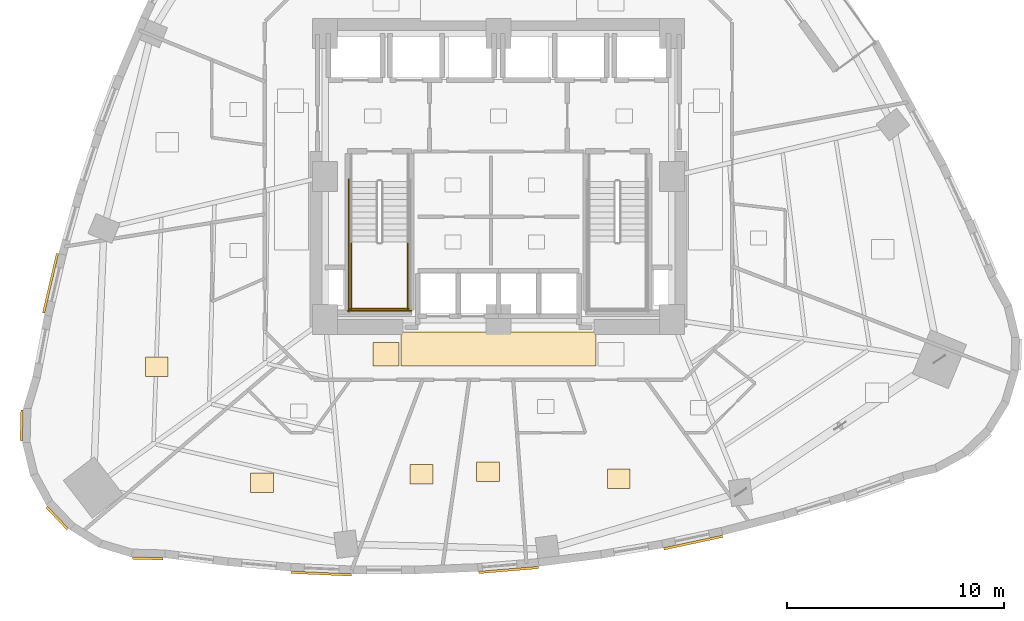
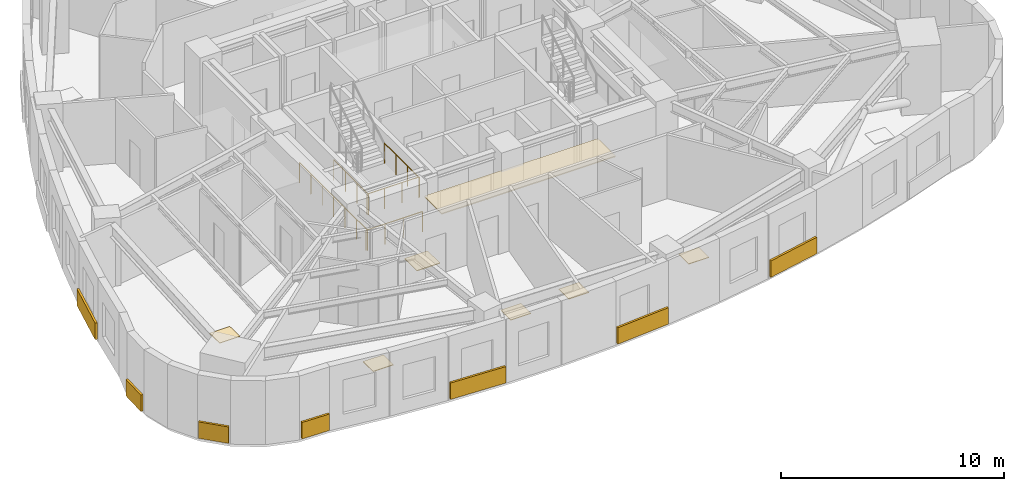
# One storey, part 13 of 15: 14 coverings, 5 railings.
"""IFC4 building model written with IfcOpenShell, lengths in metres."""

from ifc_helpers import new_model, si_unit, direction, frame, origin, origin_2d, place, context, subcontext, project, spatial, rectangle, circle, extrude, material, layer, layer_set, type_object, element, save


model = new_model("IFC4")

# Units and contexts
model_context = context("Model", 3, precision=1e-05, world=origin(), true_north=direction((0.0, 1.0)))
body_context = subcontext(model_context, "Body", "Model", "MODEL_VIEW")
ifc_project = project(units=[si_unit("LENGTHUNIT", "METRE"), si_unit("AREAUNIT", "SQUARE_METRE"), si_unit("VOLUMEUNIT", "CUBIC_METRE"), si_unit("PLANEANGLEUNIT", "RADIAN"), si_unit("MASSUNIT", "GRAM", prefix="KILO")], contexts=[model_context])

# Site, building, storey
site_placement = place(None, origin())
site = spatial("IfcSite", under=ifc_project, at=site_placement, CompositionType="ELEMENT")
building_placement = place(site_placement, origin())
building = spatial("IfcBuilding", under=site, at=building_placement, Name="Ndelora Gate Hotel", CompositionType="ELEMENT")
storey_placement = place(building_placement, frame((0.0, 0.0, 56.75)))
storey = spatial("IfcBuildingStorey", under=building, at=storey_placement, Name="L13", CompositionType="ELEMENT", Elevation=56.75)

# Coverings
ifc_material_1 = material(Name="Perforated Acoustic Gypsum Board", Category="gypsum")
ifc_layer_1 = layer(ifc_material_1, 0.054931640625)
ifc_layer_set_1 = layer_set([ifc_layer_1], Name="Perforated Acoustic Gypsum Board")
covering_type_1 = type_object("IfcCoveringType", Name="COV-CEIL-AC60", PredefinedType="CEILING", material=ifc_layer_set_1)
covering_1_placement = place(storey_placement, frame((0.0, -7.9599609375, 2.65234375), z_axis=(0.0, 0.0, 1.0), x_axis=(1.0, 0.0, 0.0)))
element("IfcCovering", 1, at=covering_1_placement, inside=storey, type_object=covering_type_1, Name="L13 Guest Corridor Acoustic Ceiling S", PredefinedType="CEILING", context=body_context, shape_type="SweptSolid", body=[
    extrude(rectangle(XDim=9.0, YDim=1.580078125, at=origin_2d()), origin(), (0.0, 0.0, 1.0), 0.054931640625),
])
ifc_material_2 = material(Name="Terracotta Fired Clay Brick Slip Cladding", Category="masonry")
ifc_layer_2 = layer(ifc_material_2, 0.110107421875)
ifc_layer_set_2 = layer_set([ifc_layer_2], Name="Terracotta Fired Clay Brick Slip Cladding")
covering_type_2 = type_object("IfcCoveringType", Name="COV-CLAD-BRK", PredefinedType="CLADDING", material=ifc_layer_set_2)
covering_2_placement = place(storey_placement, frame((-20.671875, -4.927490234375, 0.10009765625), z_axis=(0.0, 0.0, 1.0), x_axis=(0.226821294859, 0.973936394329, 0.0)))
element("IfcCovering", 2, at=covering_2_placement, inside=storey, type_object=covering_type_2, Name="L13 Rounded-Corner Brick Cladding Band 19", PredefinedType="CLADDING", context=body_context, shape_type="SweptSolid", body=[
    extrude(rectangle(XDim=2.81103515625, YDim=0.110107421875, at=origin_2d()), origin(), (0.0, 0.0, 1.0), 0.89990234375),
])
for number, where, z_axis, x_axis, name in (
    (3, (-22.006591796875, -11.486083984375, 0.10009765625), (0.0, 0.0, 1.0), (0.026176948308, 0.999657324976, 0.0), "L13 Rounded-Corner Brick Cladding Band 22"),
    (4, (-20.365478515625, -15.76171875, 0.10009765625), (0.0, 0.0, 1.0), (-0.688354575694, 0.725374371012, 0.0), "L13 Rounded-Corner Brick Cladding Band 25"),
    (5, (-16.181396484375, -17.62451171875, 0.10009765625), (0.0, 0.0, 1.0), (-0.999657324976, 0.026176948308, 0.0), "L13 Rounded-Corner Brick Cladding Band 28"),
):
    element("IfcCovering", number, at=place(storey_placement, frame(where, z_axis=z_axis, x_axis=x_axis)), inside=storey, type_object=covering_type_2, Name=name, PredefinedType="CLADDING", context=body_context, shape_type="SweptSolid", body=[
        extrude(rectangle(XDim=1.4140625, YDim=0.110107421875, at=origin_2d()), origin(), (0.0, 0.0, 1.0), 0.89990234375),
    ])
covering_3_placement = place(storey_placement, frame((-8.17041015625, -18.325439453125, 0.10009765625), z_axis=(0.0, 0.0, 1.0), x_axis=(-0.999040593346, 0.043793753509, 0.0)))
element("IfcCovering", 6, at=covering_3_placement, inside=storey, type_object=covering_type_2, Name="L13 Rounded-Corner Brick Cladding Band 31", PredefinedType="CLADDING", context=body_context, shape_type="SweptSolid", body=[
    extrude(rectangle(XDim=2.791015625, YDim=0.110107421875, at=origin_2d()), origin(), (0.0, 0.0, 1.0), 0.89990234375),
])
covering_4_placement = place(storey_placement, frame((0.466064453125, -18.157470703125, 0.10009765625), z_axis=(0.0, 0.0, 1.0), x_axis=(0.996522007617, 0.083329996614, 0.0)))
element("IfcCovering", 7, at=covering_4_placement, inside=storey, type_object=covering_type_2, Name="L13 Rounded-Corner Brick Cladding Band 34", PredefinedType="CLADDING", context=body_context, shape_type="SweptSolid", body=[
    extrude(rectangle(XDim=2.760009765625, YDim=0.110107421875, at=origin_2d()), origin(), (0.0, 0.0, 1.0), 0.89990234375),
])
covering_5_placement = place(storey_placement, frame((8.9873046875, -16.89208984375, 0.10009765625), z_axis=(0.0, 0.0, 1.0), x_axis=(0.977783236759, 0.209618562904, 0.0)))
element("IfcCovering", 8, at=covering_5_placement, inside=storey, type_object=covering_type_2, Name="L13 Rounded-Corner Brick Cladding Band 37", PredefinedType="CLADDING", context=body_context, shape_type="SweptSolid", body=[
    extrude(rectangle(XDim=2.77490234375, YDim=0.110107421875, at=origin_2d()), origin(), (0.0, 0.0, 1.0), 0.89990234375),
])
ifc_material_3 = material(Name="Engineered Highland Oak Parquet", Category="wood")
ifc_layer_3 = layer(ifc_material_3, 0.030029296875)
ifc_layer_set_3 = layer_set([ifc_layer_3], Name="Engineered Highland Oak Parquet")
covering_type_3 = type_object("IfcCoveringType", Name="COV-FLR-PARQ", PredefinedType="FLOORING", material=ifc_layer_set_3)
for number, where, z_axis, x_axis, name in (
    (9, (5.5537109375, -13.938720703125, 0.0), (0.0, 0.0, 1.0), (1.0, 0.0, 0.0), "L13 Corner Panorama Suite 1601 Oak Parquet Flooring"),
    (10, (-15.763916015625, -8.77197265625, 0.0), (0.0, 0.0, 1.0), (1.0, 0.0, 0.0), "L13 Superior Double Junior Suite 1606 Oak Parquet Flooring"),
    (11, (-10.915283203125, -14.14111328125, 0.0), (0.0, 0.0, 1.0), (1.0, 0.0, 0.0), "L13 Twin Junior Suite 1607 Oak Parquet Flooring"),
    (12, (-3.548583984375, -13.74560546875, 0.0), (0.0, 0.0, 1.0), (1.0, 0.0, 0.0), "L13 Housekeeping and Linen Room Oak Parquet Flooring"),
    (13, (-0.48388671875, -13.618896484375, 0.0), (0.0, 0.0, 1.0), (1.0, 0.0, 0.0), "L13 Accessible WC Oak Parquet Flooring"),
):
    element("IfcCovering", number, at=place(storey_placement, frame(where, z_axis=z_axis, x_axis=x_axis)), inside=storey, type_object=covering_type_3, Name=name, PredefinedType="FLOORING", context=body_context, shape_type="SweptSolid", body=[
        extrude(rectangle(XDim=1.050048828125, YDim=0.89990234375, at=origin_2d()), origin(), (0.0, 0.0, 1.0), 0.030029296875),
    ])
ifc_material_4 = material(Name="Polished Highland Stone Terrazzo", Category="masonry")
ifc_layer_4 = layer(ifc_material_4, 0.034912109375)
ifc_layer_set_4 = layer_set([ifc_layer_4], Name="Polished Highland Stone Terrazzo")
covering_type_4 = type_object("IfcCoveringType", Name="COV-FLR-TERZ", PredefinedType="FLOORING", material=ifc_layer_set_4)
covering_6_placement = place(storey_placement, frame((-5.199951171875, -8.199951171875, 0.0), z_axis=(0.0, 0.0, 1.0), x_axis=(1.0, 0.0, 0.0)))
element("IfcCovering", 14, at=covering_6_placement, inside=storey, type_object=covering_type_4, Name="L13 Corridor Threshold Terrazzo Inlay SW", PredefinedType="FLOORING", context=body_context, shape_type="SweptSolid", body=[
    extrude(rectangle(XDim=1.199951171875, YDim=1.10009765625, at=origin_2d()), origin(), (0.0, 0.0, 1.0), 0.034912109375),
])

# Railings
ifc_material_5 = material(Name="Painted Galvanized Steel Balustrade", Category="steel")
ifc_layer_5 = layer(ifc_material_5, 0.06005859375)
ifc_layer_set_5 = layer_set([ifc_layer_5], Name="Painted Galvanized Steel Balustrade")
railing_type = type_object("IfcRailingType", Name="RL-STAIR-GD", PredefinedType="GUARDRAIL", material=ifc_layer_set_5)
for number, where, name in (
    (15, (-6.800048828125, -3.030029296875, 1.875), "L13 ST4 stair guard 3"),
    (16, (-4.179931640625, -3.030029296875, 1.875), "L13 ST4 stair guard 4"),
):
    element("IfcRailing", number, at=place(storey_placement, frame(where)), inside=storey, type_object=railing_type, Name=name, PredefinedType="GUARDRAIL", context=body_context, shape_type="SweptSolid", body=[
        extrude(circle(Radius=0.02392578125, at=origin_2d()), frame((0.0, 0.0, 1.10595703125), z_axis=(0.0, -1.0, 0.0), x_axis=(1.0, 0.0, 0.0)), (0.0, 0.0, 1.0), 3.119873046875),
        extrude(circle(Radius=0.02099609375, at=origin_2d()), origin(), (0.0, 0.0, 1.0), 1.081787109375),
        extrude(circle(Radius=0.02099609375, at=origin_2d()), frame((0.0, -1.0400390625, 0.0)), (0.0, 0.0, 1.0), 1.081787109375),
        extrude(circle(Radius=0.02099609375, at=origin_2d()), frame((0.0, -2.079833984375, 0.0)), (0.0, 0.0, 1.0), 1.081787109375),
        extrude(circle(Radius=0.02099609375, at=origin_2d()), frame((0.0, -3.119873046875, 0.0)), (0.0, 0.0, 1.0), 1.081787109375),
    ])
railing_1_placement = place(storey_placement, frame((-6.85009765625, -6.10009765625, 1.875)))
element("IfcRailing", 17, at=railing_1_placement, inside=storey, type_object=railing_type, Name="L13 ST4 stair guard 5", PredefinedType="GUARDRAIL", context=body_context, shape_type="SweptSolid", body=[
    extrude(circle(Radius=0.02392578125, at=origin_2d()), frame((0.0, 0.0, 1.10595703125), z_axis=(1.0, 0.0, 0.0), x_axis=(0.0, 1.0, 0.0)), (0.0, 0.0, 1.0), 2.72021484375),
    extrude(circle(Radius=0.02099609375, at=origin_2d()), origin(), (0.0, 0.0, 1.0), 1.081787109375),
    extrude(circle(Radius=0.02099609375, at=origin_2d()), frame((0.90673828125, 0.0, 0.0)), (0.0, 0.0, 1.0), 1.081787109375),
    extrude(circle(Radius=0.02099609375, at=origin_2d()), frame((1.8134765625, 0.0, 0.0)), (0.0, 0.0, 1.0), 1.081787109375),
    extrude(circle(Radius=0.02099609375, at=origin_2d()), frame((2.72021484375, 0.0, 0.0)), (0.0, 0.0, 1.0), 1.081787109375),
])
railing_2_placement = place(storey_placement, frame((-6.89990234375, -0.1298828125, 0.0)))
element("IfcRailing", 18, at=railing_2_placement, inside=storey, type_object=railing_type, Name="L13 ST4 stair guard 10", PredefinedType="GUARDRAIL", context=body_context, shape_type="SweptSolid", body=[
    extrude(circle(Radius=0.02392578125, at=origin_2d()), frame((0.0, 0.0, 1.10595703125), z_axis=(0.0, -1.0, 0.0), x_axis=(1.0, 0.0, 0.0)), (0.0, 0.0, 1.0), 6.1201171875),
    extrude(circle(Radius=0.02099609375, at=origin_2d()), origin(), (0.0, 0.0, 1.0), 1.081787109375),
    extrude(circle(Radius=0.02099609375, at=origin_2d()), frame((0.0, -1.02001953125, 0.0)), (0.0, 0.0, 1.0), 1.081787109375),
    extrude(circle(Radius=0.02099609375, at=origin_2d()), frame((0.0, -2.0400390625, 0.0)), (0.0, 0.0, 1.0), 1.081787109375),
    extrude(circle(Radius=0.02099609375, at=origin_2d()), frame((0.0, -3.06005859375, 0.0)), (0.0, 0.0, 1.0), 1.081787109375),
    extrude(circle(Radius=0.02099609375, at=origin_2d()), frame((0.0, -4.080078125, 0.0)), (0.0, 0.0, 1.0), 1.081787109375),
    extrude(circle(Radius=0.02099609375, at=origin_2d()), frame((0.0, -5.10009765625, 0.0)), (0.0, 0.0, 1.0), 1.081787109375),
    extrude(circle(Radius=0.02099609375, at=origin_2d()), frame((0.0, -6.1201171875, 0.0)), (0.0, 0.0, 1.0), 1.081787109375),
])
railing_3_placement = place(storey_placement, frame((-6.949951171875, -6.199951171875, 0.0)))
element("IfcRailing", 19, at=railing_3_placement, inside=storey, type_object=railing_type, Name="L13 ST4 stair guard 12", PredefinedType="GUARDRAIL", context=body_context, shape_type="SweptSolid", body=[
    extrude(circle(Radius=0.02392578125, at=origin_2d()), frame((0.0, 0.0, 1.10595703125), z_axis=(1.0, 0.0, 0.0), x_axis=(0.0, 1.0, 0.0)), (0.0, 0.0, 1.0), 2.919921875),
    extrude(circle(Radius=0.02099609375, at=origin_2d()), origin(), (0.0, 0.0, 1.0), 1.081787109375),
    extrude(circle(Radius=0.02099609375, at=origin_2d()), frame((0.973388671875, 0.0, 0.0)), (0.0, 0.0, 1.0), 1.081787109375),
    extrude(circle(Radius=0.02099609375, at=origin_2d()), frame((1.946533203125, 0.0, 0.0)), (0.0, 0.0, 1.0), 1.081787109375),
    extrude(circle(Radius=0.02099609375, at=origin_2d()), frame((2.919921875, 0.0, 0.0)), (0.0, 0.0, 1.0), 1.081787109375),
])

save(model, "model.ifc")
